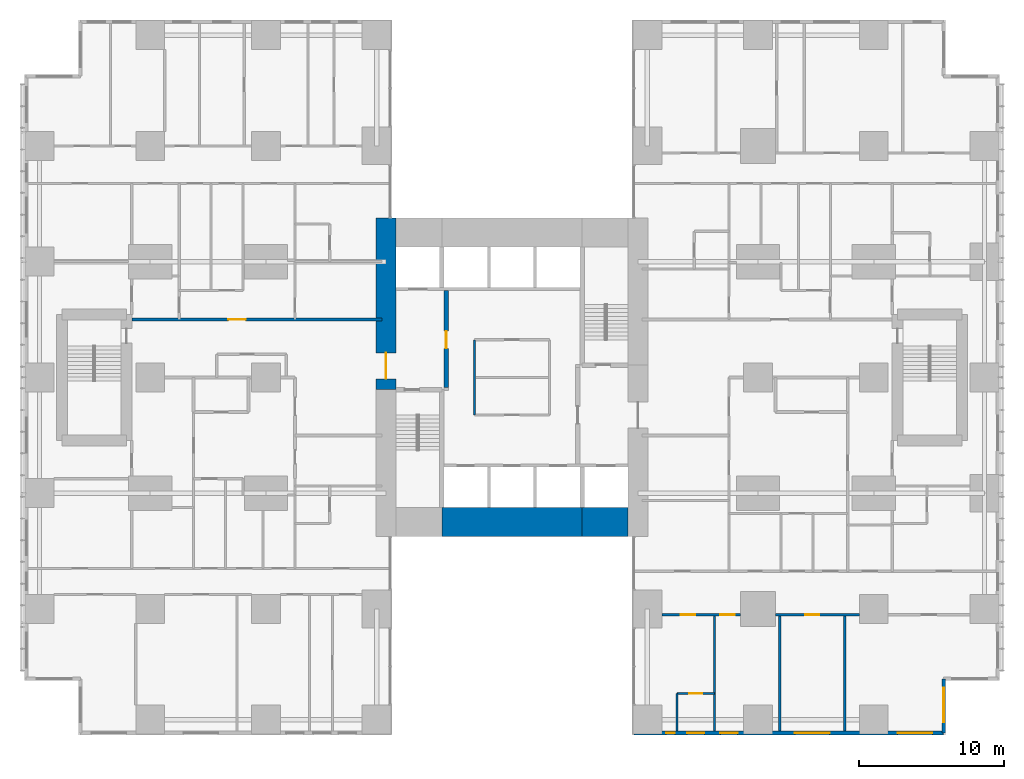
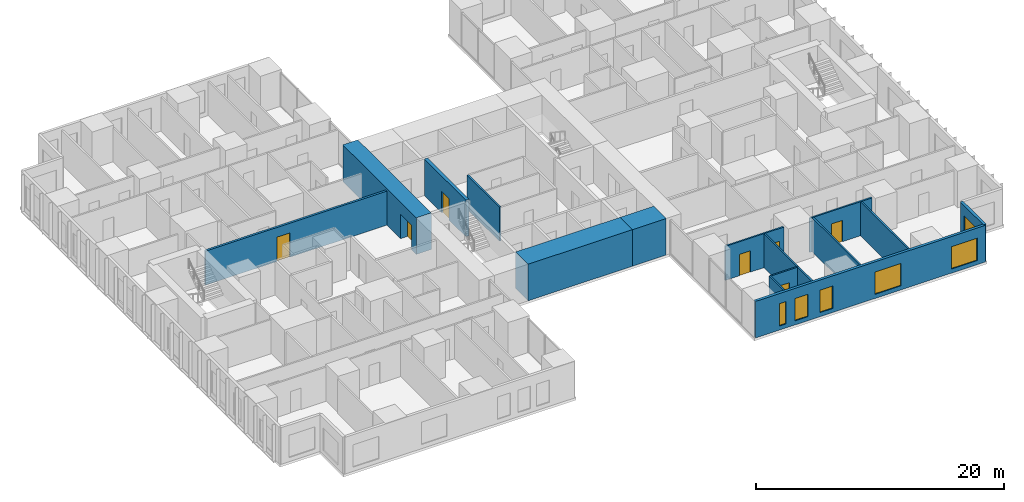
# One storey, part 14 of 20: 15 walls, 7 doors, 6 windows, 13 openings.
"""IFC4 building model written with IfcOpenShell, lengths in metres."""

from ifc_helpers import new_model, si_unit, direction, frame, frame_2d, origin, place, context, subcontext, project, spatial, rectangle, extrude, material, layer, layer_set, type_object, element, fill, save


model = new_model("IFC4")

# Units and contexts
model_context = context("Model", 3, precision=1e-05, world=origin(), true_north=direction((0.0, 1.0)))
body_context = subcontext(model_context, "Body", "Model", "MODEL_VIEW")
ifc_project = project(units=[si_unit("LENGTHUNIT", "METRE"), si_unit("AREAUNIT", "SQUARE_METRE"), si_unit("VOLUMEUNIT", "CUBIC_METRE"), si_unit("PLANEANGLEUNIT", "RADIAN"), si_unit("MASSUNIT", "GRAM", prefix="KILO")], contexts=[model_context])

# Site, building, storey
site_placement = place(None, origin())
site = spatial("IfcSite", under=ifc_project, at=site_placement, CompositionType="ELEMENT")
building_placement = place(site_placement, origin())
building = spatial("IfcBuilding", under=site, at=building_placement, Name="Cleftline Residences", CompositionType="ELEMENT")
storey_placement = place(building_placement, frame((0.0, 0.0, 99.800048828125)))
storey = spatial("IfcBuildingStorey", under=building, at=storey_placement, Name="L25", CompositionType="ELEMENT", Elevation=99.800048828125)

# Wall, opening, door
ifc_material_1 = material(Name="Concrete B70", Category="concrete")
ifc_layer_1 = layer(ifc_material_1, 1.39990234375)
ifc_layer_set_1 = layer_set([ifc_layer_1], Name="CORE WALL 1400")
wall_type_1 = type_object("IfcWallType", Name="CORE WALL 1400", PredefinedType="SHEAR", material=ifc_layer_set_1)
wall_1_placement = place(storey_placement, frame((24.300048828125, 23.14990234375, 0.0), z_axis=(0.0, 0.0, 1.0), x_axis=(0.0, 1.0, 0.0)))
wall_1 = element("IfcWall", 1, at=wall_1_placement, inside=storey, type_object=wall_type_1, Name="Core wall W", PredefinedType="SHEAR", context=body_context, shape_type="SweptSolid", body=[
    extrude(rectangle(XDim=11.85009765625, YDim=1.39990234375, at=frame_2d((5.925048828125, 0.0))), origin(), (0.0, 0.0, 1.0), 3.599853515625),
])
opening_1_placement = place(wall_1_placement, frame((0.75, 0.0, 0.0)))
opening_1 = element("IfcOpeningElement", 2, at=opening_1_placement, cuts=wall_1, Name="Opening D7", PredefinedType="OPENING", context=body_context, shape_type="SweptSolid", body=[
    extrude(rectangle(XDim=1.800048828125, YDim=2.39990234375, at=frame_2d((0.89990234375, 1.199951171875))), frame((0.0, 0.7099609375, 0.0), z_axis=(0.0, -1.0, 0.0), x_axis=(1.0, 0.0, 0.0)), (0.0, 0.0, 1.0), 1.419921875),
])
ifc_material_2 = material(Name="Steel", Category="steel")
door_type_1 = type_object("IfcDoorType", Name="WING DOOR 1800X2400", OperationType="DOUBLE_DOOR_DOUBLE_SWING", PredefinedType="DOOR", material=ifc_material_2)
door_1_placement = place(opening_1_placement, origin())
door_1 = element("IfcDoor", 3, at=door_1_placement, inside=storey, type_object=door_type_1, Name="West wing door", OperationType="DOUBLE_DOOR_DOUBLE_SWING", OverallHeight=2.39990234375, OverallWidth=1.800048828125, PredefinedType="DOOR", context=body_context, shape_type="SweptSolid", body=[
    extrude(rectangle(XDim=1.800048828125, YDim=2.39990234375, at=frame_2d((0.89990234375, 1.199951171875))), frame((0.0, 0.02490234375, 0.0), z_axis=(0.0, -1.0, 0.0), x_axis=(1.0, 0.0, 0.0)), (0.0, 0.0, 1.0), 0.050048828125),
])
fill(opening_1, door_1)

# Walls
ifc_material_3 = material(Name="Concrete B70", Category="concrete")
ifc_layer_2 = layer(ifc_material_3, 2.0)
ifc_layer_set_2 = layer_set([ifc_layer_2], Name="CORE WALL 2000")
wall_type_2 = type_object("IfcWallType", Name="CORE WALL 2000", PredefinedType="SHEAR", material=ifc_layer_set_2)
wall_2_placement = place(storey_placement, frame((28.14990234375, 14.0, 0.0), z_axis=(0.0, 0.0, 1.0), x_axis=(1.0, 0.0, 0.0)))
element("IfcWall", 4, at=wall_2_placement, inside=storey, type_object=wall_type_2, Name="Core wall S2", PredefinedType="SHEAR", context=body_context, shape_type="SweptSolid", body=[
    extrude(rectangle(XDim=9.7001953125, YDim=2.0, at=frame_2d((4.85009765625, 0.0))), origin(), (0.0, 0.0, 1.0), 3.599853515625),
])
wall_3_placement = place(storey_placement, frame((37.85009765625, 14.0, 0.0), z_axis=(0.0, 0.0, 1.0), x_axis=(1.0, 0.0, 0.0)))
element("IfcWall", 5, at=wall_3_placement, inside=storey, type_object=wall_type_2, Name="Core wall S3", PredefinedType="SHEAR", context=body_context, shape_type="SweptSolid", body=[
    extrude(rectangle(XDim=3.14990234375, YDim=2.0, at=frame_2d((1.574951171875, 0.0))), origin(), (0.0, 0.0, 1.0), 3.599853515625),
])

# Wall, openings, windows
ifc_material_4 = material(Name="Rendered reinforced concrete blockwork", Category="masonry")
ifc_layer_3 = layer(ifc_material_4, 0.25)
ifc_layer_set_3 = layer_set([ifc_layer_3], Name="EXTERNAL WALL 250")
wall_type_3 = type_object("IfcWallType", Name="EXTERNAL WALL 250", PredefinedType="SOLIDWALL", material=ifc_layer_set_3)
wall_4_placement = place(storey_placement, frame((41.425048828125, -0.574951171875, 0.0), z_axis=(0.0, 0.0, 1.0), x_axis=(1.0, 0.0, 0.0)))
wall_4 = element("IfcWall", 6, at=wall_4_placement, inside=storey, type_object=wall_type_3, Name="External wall", PredefinedType="SOLIDWALL", context=body_context, shape_type="SweptSolid", body=[
    extrude(rectangle(XDim=21.39990234375, YDim=0.25, at=frame_2d((10.699951171875, 0.0))), origin(), (0.0, 0.0, 1.0), 3.599853515625),
])
opening_2_placement = place(wall_4_placement, frame((2.22509765625, 0.0, 0.39990234375)))
opening_2 = element("IfcOpeningElement", 7, at=opening_2_placement, cuts=wall_4, Name="Opening W10", PredefinedType="OPENING", context=body_context, shape_type="SweptSolid", body=[
    extrude(rectangle(XDim=0.60009765625, YDim=2.199951171875, at=frame_2d((0.300048828125, 1.10009765625))), frame((0.0, 0.135009765625, 0.0), z_axis=(0.0, -1.0, 0.0), x_axis=(1.0, 0.0, 0.0)), (0.0, 0.0, 1.0), 0.27001953125),
])
opening_3_placement = place(wall_4_placement, frame((3.675048828125, 0.0, 0.39990234375)))
opening_3 = element("IfcOpeningElement", 8, at=opening_3_placement, cuts=wall_4, Name="Opening W11", PredefinedType="OPENING", context=body_context, shape_type="SweptSolid", body=[
    extrude(rectangle(XDim=1.199951171875, YDim=2.199951171875, at=frame_2d((0.60009765625, 1.10009765625))), frame((0.0, 0.135009765625, 0.0), z_axis=(0.0, -1.0, 0.0), x_axis=(1.0, 0.0, 0.0)), (0.0, 0.0, 1.0), 0.27001953125),
])
opening_4_placement = place(wall_4_placement, frame((5.97509765625, 0.0, 0.39990234375)))
opening_4 = element("IfcOpeningElement", 9, at=opening_4_placement, cuts=wall_4, Name="Opening W11", PredefinedType="OPENING", context=body_context, shape_type="SweptSolid", body=[
    extrude(rectangle(XDim=1.199951171875, YDim=2.199951171875, at=frame_2d((0.60009765625, 1.10009765625))), frame((0.0, 0.135009765625, 0.0), z_axis=(0.0, -1.0, 0.0), x_axis=(1.0, 0.0, 0.0)), (0.0, 0.0, 1.0), 0.27001953125),
])
opening_5_placement = place(wall_4_placement, frame((11.125, 0.0, 0.39990234375)))
opening_5 = element("IfcOpeningElement", 10, at=opening_5_placement, cuts=wall_4, Name="Opening W12", PredefinedType="OPENING", context=body_context, shape_type="SweptSolid", body=[
    extrude(rectangle(XDim=2.39990234375, YDim=2.199951171875, at=frame_2d((1.199951171875, 1.10009765625))), frame((0.0, 0.135009765625, 0.0), z_axis=(0.0, -1.0, 0.0), x_axis=(1.0, 0.0, 0.0)), (0.0, 0.0, 1.0), 0.27001953125),
])
opening_6_placement = place(wall_4_placement, frame((18.22509765625, 0.0, 0.39990234375)))
opening_6 = element("IfcOpeningElement", 11, at=opening_6_placement, cuts=wall_4, Name="Opening W12", PredefinedType="OPENING", context=body_context, shape_type="SweptSolid", body=[
    extrude(rectangle(XDim=2.39990234375, YDim=2.199951171875, at=frame_2d((1.199951171875, 1.10009765625))), frame((0.0, 0.135009765625, 0.0), z_axis=(0.0, -1.0, 0.0), x_axis=(1.0, 0.0, 0.0)), (0.0, 0.0, 1.0), 0.27001953125),
])
ifc_material_5 = material(Name="Aluminium frame, clear double glazing", Category="aluminium")
window_type_1 = type_object("IfcWindowType", Name="WINDOW 1200X2200", PartitioningType="DOUBLE_PANEL_VERTICAL", PredefinedType="WINDOW", material=ifc_material_5)
window_1_placement = place(opening_3_placement, origin())
window_1 = element("IfcWindow", 12, at=window_1_placement, inside=storey, type_object=window_type_1, Name="Window", OverallHeight=2.199951171875, OverallWidth=1.199951171875, PartitioningType="SINGLE_PANEL", PredefinedType="WINDOW", context=body_context, shape_type="SweptSolid", body=[
    extrude(rectangle(XDim=1.199951171875, YDim=2.199951171875, at=frame_2d((0.60009765625, 1.10009765625))), frame((0.0, 0.030029296875, 0.0), z_axis=(0.0, -1.0, 0.0), x_axis=(1.0, 0.0, 0.0)), (0.0, 0.0, 1.0), 0.06005859375),
])
fill(opening_3, window_1)
window_2_placement = place(opening_4_placement, origin())
window_2 = element("IfcWindow", 13, at=window_2_placement, inside=storey, type_object=window_type_1, Name="Window", OverallHeight=2.199951171875, OverallWidth=1.199951171875, PartitioningType="SINGLE_PANEL", PredefinedType="WINDOW", context=body_context, shape_type="SweptSolid", body=[
    extrude(rectangle(XDim=1.199951171875, YDim=2.199951171875, at=frame_2d((0.60009765625, 1.10009765625))), frame((0.0, 0.030029296875, 0.0), z_axis=(0.0, -1.0, 0.0), x_axis=(1.0, 0.0, 0.0)), (0.0, 0.0, 1.0), 0.06005859375),
])
fill(opening_4, window_2)
ifc_material_6 = material(Name="Aluminium frame, clear double glazing", Category="aluminium")
window_type_2 = type_object("IfcWindowType", Name="WINDOW 2400X2200", PartitioningType="DOUBLE_PANEL_VERTICAL", PredefinedType="WINDOW", material=ifc_material_6)
window_3_placement = place(opening_5_placement, origin())
window_3 = element("IfcWindow", 14, at=window_3_placement, inside=storey, type_object=window_type_2, Name="Window", OverallHeight=2.199951171875, OverallWidth=2.39990234375, PartitioningType="SINGLE_PANEL", PredefinedType="WINDOW", context=body_context, shape_type="SweptSolid", body=[
    extrude(rectangle(XDim=2.39990234375, YDim=2.199951171875, at=frame_2d((1.199951171875, 1.10009765625))), frame((0.0, 0.030029296875, 0.0), z_axis=(0.0, -1.0, 0.0), x_axis=(1.0, 0.0, 0.0)), (0.0, 0.0, 1.0), 0.06005859375),
])
fill(opening_5, window_3)
window_4_placement = place(opening_6_placement, origin())
window_4 = element("IfcWindow", 15, at=window_4_placement, inside=storey, type_object=window_type_2, Name="Window", OverallHeight=2.199951171875, OverallWidth=2.39990234375, PartitioningType="SINGLE_PANEL", PredefinedType="WINDOW", context=body_context, shape_type="SweptSolid", body=[
    extrude(rectangle(XDim=2.39990234375, YDim=2.199951171875, at=frame_2d((1.199951171875, 1.10009765625))), frame((0.0, 0.030029296875, 0.0), z_axis=(0.0, -1.0, 0.0), x_axis=(1.0, 0.0, 0.0)), (0.0, 0.0, 1.0), 0.06005859375),
])
fill(opening_6, window_4)
ifc_material_7 = material(Name="Aluminium frame, clear double glazing", Category="aluminium")
window_type_3 = type_object("IfcWindowType", Name="WINDOW 600X2200", PartitioningType="DOUBLE_PANEL_VERTICAL", PredefinedType="WINDOW", material=ifc_material_7)
window_5_placement = place(opening_2_placement, origin())
window_5 = element("IfcWindow", 16, at=window_5_placement, inside=storey, type_object=window_type_3, Name="Window", OverallHeight=2.199951171875, OverallWidth=0.60009765625, PartitioningType="SINGLE_PANEL", PredefinedType="WINDOW", context=body_context, shape_type="SweptSolid", body=[
    extrude(rectangle(XDim=0.60009765625, YDim=2.199951171875, at=frame_2d((0.300048828125, 1.10009765625))), frame((0.0, 0.030029296875, 0.0), z_axis=(0.0, -1.0, 0.0), x_axis=(1.0, 0.0, 0.0)), (0.0, 0.0, 1.0), 0.06005859375),
])
fill(opening_2, window_5)

# Wall, opening, window
wall_5_placement = place(storey_placement, frame((62.824951171875, -0.574951171875, 0.0), z_axis=(0.0, 0.0, 1.0), x_axis=(0.0, 1.0, 0.0)))
wall_5 = element("IfcWall", 17, at=wall_5_placement, inside=storey, type_object=wall_type_3, Name="External wall", PredefinedType="SOLIDWALL", context=body_context, shape_type="SweptSolid", body=[
    extrude(rectangle(XDim=3.75, YDim=0.25, at=frame_2d((1.875, 0.0))), origin(), (0.0, 0.0, 1.0), 3.599853515625),
])
opening_7_placement = place(wall_5_placement, frame((0.737548828125, 0.0, 0.39990234375)))
opening_7 = element("IfcOpeningElement", 18, at=opening_7_placement, cuts=wall_5, Name="Opening W12", PredefinedType="OPENING", context=body_context, shape_type="SweptSolid", body=[
    extrude(rectangle(XDim=2.39990234375, YDim=2.199951171875, at=frame_2d((1.199951171875, 1.10009765625))), frame((0.0, 0.135009765625, 0.0), z_axis=(0.0, -1.0, 0.0), x_axis=(1.0, 0.0, 0.0)), (0.0, 0.0, 1.0), 0.27001953125),
])
window_6_placement = place(opening_7_placement, origin())
window_6 = element("IfcWindow", 19, at=window_6_placement, inside=storey, type_object=window_type_2, Name="Window", OverallHeight=2.199951171875, OverallWidth=2.39990234375, PartitioningType="SINGLE_PANEL", PredefinedType="WINDOW", context=body_context, shape_type="SweptSolid", body=[
    extrude(rectangle(XDim=2.39990234375, YDim=2.199951171875, at=frame_2d((1.199951171875, 1.10009765625))), frame((0.0, 0.030029296875, 0.0), z_axis=(0.0, -1.0, 0.0), x_axis=(1.0, 0.0, 0.0)), (0.0, 0.0, 1.0), 0.06005859375),
])
fill(opening_7, window_6)

# Wall, opening, door
ifc_material_8 = material(Name="Concrete blockwork, fire rated", Category="masonry")
ifc_layer_4 = layer(ifc_material_8, 0.199951171875)
ifc_layer_set_4 = layer_set([ifc_layer_4], Name="FIRE WALL 200")
wall_type_4 = type_object("IfcWallType", Name="FIRE WALL 200", PredefinedType="PARTITIONING", material=ifc_layer_set_4)
wall_6_placement = place(storey_placement, frame((6.72509765625, 28.0, 0.0), z_axis=(0.0, 0.0, 1.0), x_axis=(1.0, 0.0, 0.0)))
wall_6 = element("IfcWall", 20, at=wall_6_placement, inside=storey, type_object=wall_type_4, Name="Fire separating wall", PredefinedType="PARTITIONING", context=body_context, shape_type="SweptSolid", body=[
    extrude(rectangle(XDim=17.27490234375, YDim=0.199951171875, at=frame_2d((8.637451171875, 0.0))), origin(), (0.0, 0.0, 1.0), 3.349853515625),
])
opening_8_placement = place(wall_6_placement, frame((6.675048828125, 0.0, 0.0)))
opening_8 = element("IfcOpeningElement", 21, at=opening_8_placement, cuts=wall_6, Name="Opening D4", PredefinedType="OPENING", context=body_context, shape_type="SweptSolid", body=[
    extrude(rectangle(XDim=1.199951171875, YDim=2.39990234375, at=frame_2d((0.60009765625, 1.199951171875))), frame((0.0, 0.10986328125, 0.0), z_axis=(0.0, -1.0, 0.0), x_axis=(1.0, 0.0, 0.0)), (0.0, 0.0, 1.0), 0.219970703125),
])
ifc_material_9 = material(Name="Timber veneer on solid core", Category="wood")
door_type_2 = type_object("IfcDoorType", Name="APARTMENT ENTRANCE DOOR 1200X2400", OperationType="SINGLE_SWING_RIGHT", PredefinedType="DOOR", material=ifc_material_9)
door_2_placement = place(opening_8_placement, origin())
door_2 = element("IfcDoor", 22, at=door_2_placement, inside=storey, type_object=door_type_2, Name="Door to residence entrance (gallery)", OperationType="SINGLE_SWING_RIGHT", OverallHeight=2.39990234375, OverallWidth=1.199951171875, PredefinedType="DOOR", context=body_context, shape_type="SweptSolid", body=[
    extrude(rectangle(XDim=1.199951171875, YDim=2.39990234375, at=frame_2d((0.60009765625, 1.199951171875))), frame((0.0, 0.02490234375, 0.0), z_axis=(0.0, -1.0, 0.0), x_axis=(1.0, 0.0, 0.0)), (0.0, 0.0, 1.0), 0.050048828125),
])
fill(opening_8, door_2)

ifc_material_10 = material(Name="Gypsum board on steel studs", Category="steel")
ifc_layer_5 = layer(ifc_material_10, 0.14990234375)
ifc_layer_set_5 = layer_set([ifc_layer_5], Name="PARTITION 150")
wall_type_5 = type_object("IfcWallType", Name="PARTITION 150", PredefinedType="PARTITIONING", material=ifc_layer_set_5)
wall_7_placement = place(storey_placement, frame((44.39990234375, 2.14990234375, 0.0), z_axis=(0.0, 0.0, 1.0), x_axis=(1.0, 0.0, 0.0)))
wall_7 = element("IfcWall", 23, at=wall_7_placement, inside=storey, type_object=wall_type_5, Name="Partition", PredefinedType="PARTITIONING", context=body_context, shape_type="SweptSolid", body=[
    extrude(rectangle(XDim=2.60009765625, YDim=0.14990234375, at=frame_2d((1.300048828125, 0.0))), origin(), (0.0, 0.0, 1.0), 3.349853515625),
])
opening_9_placement = place(wall_7_placement, frame((0.85009765625, 0.0, 0.0)))
opening_9 = element("IfcOpeningElement", 24, at=opening_9_placement, cuts=wall_7, Name="Opening D1", PredefinedType="OPENING", context=body_context, shape_type="SweptSolid", body=[
    extrude(rectangle(XDim=0.89990234375, YDim=2.10009765625, at=frame_2d((0.449951171875, 1.050048828125))), frame((0.0, 0.0849609375, 0.0), z_axis=(0.0, -1.0, 0.0), x_axis=(1.0, 0.0, 0.0)), (0.0, 0.0, 1.0), 0.169921875),
])
ifc_material_11 = material(Name="Timber veneer on solid core", Category="wood")
door_type_3 = type_object("IfcDoorType", Name="DOOR 900X2100", OperationType="SINGLE_SWING_LEFT", PredefinedType="DOOR", material=ifc_material_11)
door_3_placement = place(opening_9_placement, origin())
door_3 = element("IfcDoor", 25, at=door_3_placement, inside=storey, type_object=door_type_3, Name="Door to en-suite bathroom 3", OperationType="SINGLE_SWING_LEFT", OverallHeight=2.10009765625, OverallWidth=0.89990234375, PredefinedType="DOOR", context=body_context, shape_type="SweptSolid", body=[
    extrude(rectangle(XDim=0.89990234375, YDim=2.10009765625, at=frame_2d((0.449951171875, 1.050048828125))), frame((0.0, 0.02490234375, 0.0), z_axis=(0.0, -1.0, 0.0), x_axis=(1.0, 0.0, 0.0)), (0.0, 0.0, 1.0), 0.050048828125),
])
fill(opening_9, door_3)

# Wall, openings, doors
wall_8_placement = place(storey_placement, frame((43.35009765625, 7.60009765625, 0.0), z_axis=(0.0, 0.0, 1.0), x_axis=(1.0, 0.0, 0.0)))
wall_8 = element("IfcWall", 26, at=wall_8_placement, inside=storey, type_object=wall_type_5, Name="Partition", PredefinedType="PARTITIONING", context=body_context, shape_type="SweptSolid", body=[
    extrude(rectangle(XDim=5.449951171875, YDim=0.14990234375, at=frame_2d((2.72509765625, 0.0))), origin(), (0.0, 0.0, 1.0), 3.349853515625),
])
opening_10_placement = place(wall_8_placement, frame((4.050048828125, 0.0, 0.0)))
opening_10 = element("IfcOpeningElement", 27, at=opening_10_placement, cuts=wall_8, Name="Opening D2", PredefinedType="OPENING", context=body_context, shape_type="SweptSolid", body=[
    extrude(rectangle(XDim=1.0, YDim=2.10009765625, at=frame_2d((0.5, 1.050048828125))), frame((0.0, 0.0849609375, 0.0), z_axis=(0.0, -1.0, 0.0), x_axis=(1.0, 0.0, 0.0)), (0.0, 0.0, 1.0), 0.169921875),
])
opening_11_placement = place(wall_8_placement, frame((1.324951171875, 0.0, 0.0)))
opening_11 = element("IfcOpeningElement", 28, at=opening_11_placement, cuts=wall_8, Name="Opening D2", PredefinedType="OPENING", context=body_context, shape_type="SweptSolid", body=[
    extrude(rectangle(XDim=1.0, YDim=2.10009765625, at=frame_2d((0.5, 1.050048828125))), frame((0.0, 0.0849609375, 0.0), z_axis=(0.0, -1.0, 0.0), x_axis=(1.0, 0.0, 0.0)), (0.0, 0.0, 1.0), 0.169921875),
])
ifc_material_12 = material(Name="Timber veneer on solid core", Category="wood")
door_type_4 = type_object("IfcDoorType", Name="DOOR 1000X2100", OperationType="SINGLE_SWING_LEFT", PredefinedType="DOOR", material=ifc_material_12)
door_4_placement = place(opening_10_placement, origin())
door_4 = element("IfcDoor", 29, at=door_4_placement, inside=storey, type_object=door_type_4, Name="Door to show kitchen", OperationType="SINGLE_SWING_LEFT", OverallHeight=2.10009765625, OverallWidth=1.0, PredefinedType="DOOR", context=body_context, shape_type="SweptSolid", body=[
    extrude(rectangle(XDim=1.0, YDim=2.10009765625, at=frame_2d((0.5, 1.050048828125))), frame((0.0, 0.02490234375, 0.0), z_axis=(0.0, -1.0, 0.0), x_axis=(1.0, 0.0, 0.0)), (0.0, 0.0, 1.0), 0.050048828125),
])
fill(opening_10, door_4)
door_5_placement = place(opening_11_placement, origin())
door_5 = element("IfcDoor", 30, at=door_5_placement, inside=storey, type_object=door_type_4, Name="Door to bedroom 3", OperationType="SINGLE_SWING_RIGHT", OverallHeight=2.10009765625, OverallWidth=1.0, PredefinedType="DOOR", context=body_context, shape_type="SweptSolid", body=[
    extrude(rectangle(XDim=1.0, YDim=2.10009765625, at=frame_2d((0.5, 1.050048828125))), frame((0.0, 0.02490234375, 0.0), z_axis=(0.0, -1.0, 0.0), x_axis=(1.0, 0.0, 0.0)), (0.0, 0.0, 1.0), 0.050048828125),
])
fill(opening_11, door_5)

# Wall, opening, door
wall_9_placement = place(storey_placement, frame((51.199951171875, 7.60009765625, 0.0), z_axis=(0.0, 0.0, 1.0), x_axis=(1.0, 0.0, 0.0)))
wall_9 = element("IfcWall", 31, at=wall_9_placement, inside=storey, type_object=wall_type_5, Name="Partition", PredefinedType="PARTITIONING", context=body_context, shape_type="SweptSolid", body=[
    extrude(rectangle(XDim=5.800048828125, YDim=0.14990234375, at=frame_2d((2.89990234375, 0.0))), origin(), (0.0, 0.0, 1.0), 3.349853515625),
])
opening_12_placement = place(wall_9_placement, frame((2.050048828125, 0.0, 0.0)))
opening_12 = element("IfcOpeningElement", 32, at=opening_12_placement, cuts=wall_9, Name="Opening D2", PredefinedType="OPENING", context=body_context, shape_type="SweptSolid", body=[
    extrude(rectangle(XDim=1.0, YDim=2.10009765625, at=frame_2d((0.5, 1.050048828125))), frame((0.0, 0.0849609375, 0.0), z_axis=(0.0, -1.0, 0.0), x_axis=(1.0, 0.0, 0.0)), (0.0, 0.0, 1.0), 0.169921875),
])
door_6_placement = place(opening_12_placement, origin())
door_6 = element("IfcDoor", 33, at=door_6_placement, inside=storey, type_object=door_type_4, Name="Door to dining room", OperationType="SINGLE_SWING_RIGHT", OverallHeight=2.10009765625, OverallWidth=1.0, PredefinedType="DOOR", context=body_context, shape_type="SweptSolid", body=[
    extrude(rectangle(XDim=1.0, YDim=2.10009765625, at=frame_2d((0.5, 1.050048828125))), frame((0.0, 0.02490234375, 0.0), z_axis=(0.0, -1.0, 0.0), x_axis=(1.0, 0.0, 0.0)), (0.0, 0.0, 1.0), 0.050048828125),
])
fill(opening_12, door_6)

# Walls
wall_10_placement = place(storey_placement, frame((44.39990234375, -0.449951171875, 0.0), z_axis=(0.0, 0.0, 1.0), x_axis=(0.0, 1.0, 0.0)))
element("IfcWall", 34, at=wall_10_placement, inside=storey, type_object=wall_type_5, Name="Partition", PredefinedType="PARTITIONING", context=body_context, shape_type="SweptSolid", body=[
    extrude(rectangle(XDim=2.599853515625, YDim=0.14990234375, at=frame_2d((1.2998046875, 0.0))), origin(), (0.0, 0.0, 1.0), 3.349853515625),
])
for number, where, z_axis, x_axis, name in (
    (35, (47.0, -0.449951171875, 0.0), (0.0, 0.0, 1.0), (0.0, 1.0, 0.0), "Partition"),
    (36, (51.5, -0.449951171875, 0.0), (0.0, 0.0, 1.0), (0.0, 1.0, 0.0), "Partition"),
    (37, (56.0, -0.449951171875, 0.0), (0.0, 0.0, 1.0), (0.0, 1.0, 0.0), "Partition"),
):
    element("IfcWall", number, at=place(storey_placement, frame(where, z_axis=z_axis, x_axis=x_axis)), inside=storey, type_object=wall_type_5, Name=name, PredefinedType="PARTITIONING", context=body_context, shape_type="SweptSolid", body=[
        extrude(rectangle(XDim=8.050048828125, YDim=0.14990234375, at=frame_2d((4.02490234375, 0.0))), origin(), (0.0, 0.0, 1.0), 3.349853515625),
    ])
ifc_material_13 = material(Name="Fire-resisting gypsum board on steel studs", Category="steel")
ifc_layer_6 = layer(ifc_material_13, 0.14990234375)
ifc_layer_set_6 = layer_set([ifc_layer_6], Name="PARTITION 150 EI 60")
wall_type_6 = type_object("IfcWallType", Name="PARTITION 150 EI 60", PredefinedType="PARTITIONING", material=ifc_layer_set_6)
wall_11_placement = place(storey_placement, frame((30.39990234375, 21.39990234375, 0.0), z_axis=(0.0, 0.0, 1.0), x_axis=(0.0, 1.0, 0.0)))
element("IfcWall", 38, at=wall_11_placement, inside=storey, type_object=wall_type_6, Name="Core room partition", PredefinedType="PARTITIONING", context=body_context, shape_type="SweptSolid", body=[
    extrude(rectangle(XDim=5.2001953125, YDim=0.14990234375, at=frame_2d((2.60009765625, 0.0))), origin(), (0.0, 0.0, 1.0), 3.349853515625),
])

# Wall, opening, door
ifc_material_14 = material(Name="Concrete blockwork, fire rated", Category="masonry")
ifc_layer_7 = layer(ifc_material_14, 0.300048828125)
ifc_layer_set_7 = layer_set([ifc_layer_7], Name="STAIR LOBBY WALL 300")
wall_type_7 = type_object("IfcWallType", Name="STAIR LOBBY WALL 300", PredefinedType="PARTITIONING", material=ifc_layer_set_7)
wall_12_placement = place(storey_placement, frame((28.449951171875, 23.300048828125, 0.0), z_axis=(0.0, 0.0, 1.0), x_axis=(0.0, 1.0, 0.0)))
wall_12 = element("IfcWall", 39, at=wall_12_placement, inside=storey, type_object=wall_type_7, Name="Stair and lobby wall FA-E", PredefinedType="PARTITIONING", context=body_context, shape_type="SweptSolid", body=[
    extrude(rectangle(XDim=6.699951171875, YDim=0.300048828125, at=frame_2d((3.35009765625, 0.0))), origin(), (0.0, 0.0, 1.0), 3.599853515625),
])
opening_13_placement = place(wall_12_placement, frame((2.699951171875, 0.0, 0.0)))
opening_13 = element("IfcOpeningElement", 40, at=opening_13_placement, cuts=wall_12, Name="Opening D6", PredefinedType="OPENING", context=body_context, shape_type="SweptSolid", body=[
    extrude(rectangle(XDim=1.199951171875, YDim=2.10009765625, at=frame_2d((0.60009765625, 1.050048828125))), frame((0.0, 0.159912109375, 0.0), z_axis=(0.0, -1.0, 0.0), x_axis=(1.0, 0.0, 0.0)), (0.0, 0.0, 1.0), 0.320068359375),
])
ifc_material_15 = material(Name="Steel", Category="steel")
door_type_5 = type_object("IfcDoorType", Name="LOBBY DOOR 1200X2100", OperationType="SINGLE_SWING_RIGHT", PredefinedType="DOOR", material=ifc_material_15)
door_7_placement = place(opening_13_placement, origin())
door_7 = element("IfcDoor", 41, at=door_7_placement, inside=storey, type_object=door_type_5, Name="Firefighting lobby A door", OperationType="SINGLE_SWING_RIGHT", OverallHeight=2.10009765625, OverallWidth=1.199951171875, PredefinedType="DOOR", context=body_context, shape_type="SweptSolid", body=[
    extrude(rectangle(XDim=1.199951171875, YDim=2.10009765625, at=frame_2d((0.60009765625, 1.050048828125))), frame((0.0, 0.02490234375, 0.0), z_axis=(0.0, -1.0, 0.0), x_axis=(1.0, 0.0, 0.0)), (0.0, 0.0, 1.0), 0.050048828125),
])
fill(opening_13, door_7)

save(model, "model.ifc")
